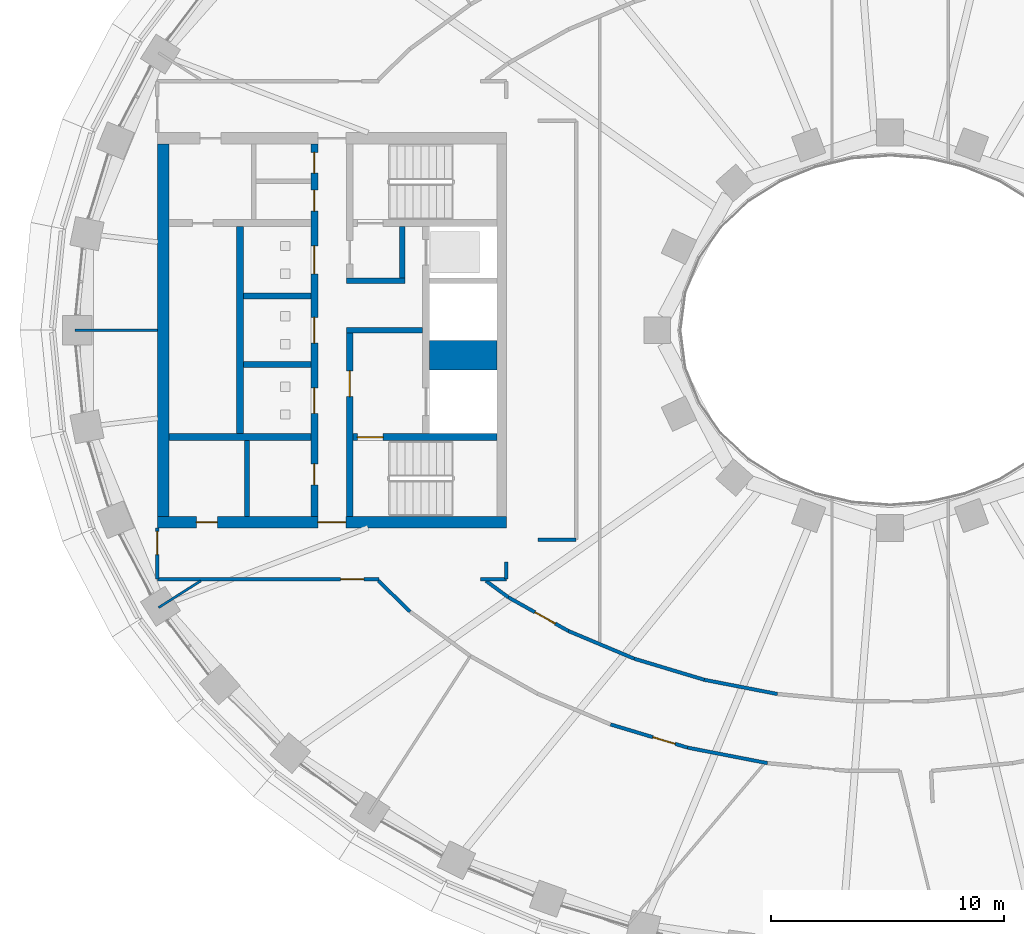
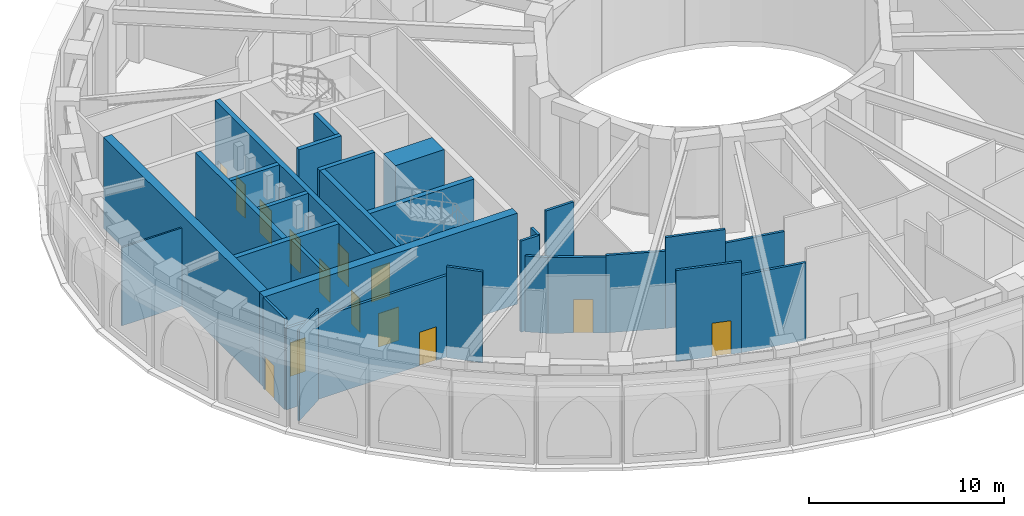
# One storey, part 3 of 23: 29 walls, 14 doors, 14 openings.
"""IFC4 building model written with IfcOpenShell, lengths in metres."""

from ifc_helpers import new_model, si_unit, direction, frame, frame_2d, origin, place, context, subcontext, project, spatial, rectangle, extrude, material, layer, layer_set, type_object, element, fill, save


model = new_model("IFC4")

# Units and contexts
model_context = context("Model", 3, precision=1e-05, world=origin(), true_north=direction((0.0, 1.0)))
body_context = subcontext(model_context, "Body", "Model", "MODEL_VIEW")
ifc_project = project(units=[si_unit("LENGTHUNIT", "METRE"), si_unit("AREAUNIT", "SQUARE_METRE"), si_unit("VOLUMEUNIT", "CUBIC_METRE"), si_unit("PLANEANGLEUNIT", "RADIAN"), si_unit("MASSUNIT", "GRAM", prefix="KILO")], contexts=[model_context])

# Site, building, storey
site_placement = place(None, origin())
site = spatial("IfcSite", under=ifc_project, at=site_placement, CompositionType="ELEMENT")
building_placement = place(site_placement, origin())
building = spatial("IfcBuilding", under=site, at=building_placement, Name="Noorbagh Ring Tower", CompositionType="ELEMENT")
storey_placement = place(building_placement, frame((0.0, 0.0, 140.0)))
storey = spatial("IfcBuildingStorey", under=building, at=storey_placement, Name="L32", CompositionType="ELEMENT", Elevation=140.0)

# Walls
ifc_material_1 = material(Name="Gypsum board on steel studs", Category="steel")
ifc_layer_1 = layer(ifc_material_1, 0.199951171875)
ifc_layer_set_1 = layer_set([ifc_layer_1], Name="Gypsum board on steel studs")
wall_type_1 = type_object("IfcWallType", Name="CORE-PARTITION-200", PredefinedType="PARTITIONING", material=ifc_layer_set_1)
wall_1_placement = place(storey_placement, frame((-27.64990234375, -8.0, 0.0), z_axis=(0.0, 0.0, 1.0), x_axis=(0.0, 1.0, 0.0)))
element("IfcWall", 1, at=wall_1_placement, inside=storey, type_object=wall_type_1, Name="Core partition W", PredefinedType="PARTITIONING", context=body_context, shape_type="SweptSolid", body=[
    extrude(rectangle(XDim=3.25, YDim=0.199951171875, at=frame_2d((1.625, 0.0))), origin(), (0.0, 0.0, 1.0), 5.699951171875),
])
ifc_material_2 = material(Name="Concrete C70/85", Category="concrete")
ifc_layer_2 = layer(ifc_material_2, 1.25)
ifc_layer_set_2 = layer_set([ifc_layer_2], Name="Concrete C70/85")
wall_type_2 = type_object("IfcWallType", Name="CORE-WALL-1250-C70-85-EI120", PredefinedType="SHEAR", material=ifc_layer_set_2)
wall_2_placement = place(storey_placement, frame((-16.89990234375, -1.074951171875, 0.0), z_axis=(0.0, 0.0, 1.0), x_axis=(-1.0, 0.0, 0.0)))
element("IfcWall", 2, at=wall_2_placement, inside=storey, type_object=wall_type_2, Name="Core wall W", PredefinedType="SHEAR", context=body_context, shape_type="SweptSolid", body=[
    extrude(rectangle(XDim=2.900146484375, YDim=1.25, at=frame_2d((1.4501953125, 0.0))), origin(), (0.0, 0.0, 1.0), 5.699951171875),
])
ifc_material_3 = material(Name="Concrete C70/85", Category="concrete")
ifc_layer_3 = layer(ifc_material_3, 0.25)
ifc_layer_set_3 = layer_set([ifc_layer_3], Name="Concrete C70/85")
wall_type_3 = type_object("IfcWallType", Name="CORE-WALL-250-C70-85-EI120", PredefinedType="SHEAR", material=ifc_layer_set_3)
for number, where, z_axis, x_axis, name in (
    (3, (-24.89990234375, -1.47509765625, 0.0), (0.0, 0.0, 1.0), (-1.0, 0.0, 0.0), "Core wall W"),
    (4, (-24.89990234375, 1.47509765625, 0.0), (0.0, 0.0, 1.0), (-1.0, 0.0, 0.0), "Core wall W"),
):
    element("IfcWall", number, at=place(storey_placement, frame(where, z_axis=z_axis, x_axis=x_axis)), inside=storey, type_object=wall_type_3, Name=name, PredefinedType="SHEAR", context=body_context, shape_type="SweptSolid", body=[
        extrude(rectangle(XDim=2.900146484375, YDim=0.25, at=frame_2d((1.4501953125, 0.0))), origin(), (0.0, 0.0, 1.0), 5.699951171875),
    ])
ifc_material_4 = material(Name="Concrete C70/85", Category="concrete")
ifc_layer_4 = layer(ifc_material_4, 0.25)
ifc_layer_set_4 = layer_set([ifc_layer_4], Name="Concrete C70/85")
wall_type_4 = type_object("IfcWallType", Name="CORE-WALL-250-C70-85-EI240", PredefinedType="SHEAR", material=ifc_layer_set_4)
wall_3_placement = place(storey_placement, frame((-20.10009765625, 0.0, 0.0), z_axis=(0.0, 0.0, 1.0), x_axis=(-1.0, 0.0, 0.0)))
element("IfcWall", 5, at=wall_3_placement, inside=storey, type_object=wall_type_4, Name="Core wall W", PredefinedType="SHEAR", context=body_context, shape_type="SweptSolid", body=[
    extrude(rectangle(XDim=3.27978515625, YDim=0.25, at=frame_2d((1.639892578125, 0.0))), origin(), (0.0, 0.0, 1.0), 5.699951171875),
])
wall_4_placement = place(storey_placement, frame((-20.85009765625, 2.125, 0.0), z_axis=(0.0, 0.0, 1.0), x_axis=(-1.0, 0.0, 0.0)))
element("IfcWall", 6, at=wall_4_placement, inside=storey, type_object=wall_type_4, Name="Core wall W", PredefinedType="SHEAR", context=body_context, shape_type="SweptSolid", body=[
    extrude(rectangle(XDim=2.52978515625, YDim=0.25, at=frame_2d((1.264892578125, 0.0))), origin(), (0.0, 0.0, 1.0), 5.699951171875),
])
wall_5_placement = place(storey_placement, frame((-20.97509765625, 2.25, 0.0), z_axis=(0.0, 0.0, 1.0), x_axis=(0.0, 1.0, 0.0)))
element("IfcWall", 7, at=wall_5_placement, inside=storey, type_object=wall_type_4, Name="Core wall W", PredefinedType="SHEAR", context=body_context, shape_type="SweptSolid", body=[
    extrude(rectangle(XDim=2.199951171875, YDim=0.25, at=frame_2d((1.10009765625, 0.0))), origin(), (0.0, 0.0, 1.0), 5.699951171875),
])
ifc_material_5 = material(Name="Concrete C70/85", Category="concrete")
ifc_layer_5 = layer(ifc_material_5, 0.300048828125)
ifc_layer_set_5 = layer_set([ifc_layer_5], Name="Concrete C70/85")
wall_type_5 = type_object("IfcWallType", Name="CORE-WALL-300-C70-85-EI120", PredefinedType="SHEAR", material=ifc_layer_set_5)
wall_6_placement = place(storey_placement, frame((-27.949951171875, -4.449951171875, 0.0), z_axis=(0.0, 0.0, 1.0), x_axis=(0.0, 1.0, 0.0)))
element("IfcWall", 8, at=wall_6_placement, inside=storey, type_object=wall_type_5, Name="Core wall W", PredefinedType="SHEAR", context=body_context, shape_type="SweptSolid", body=[
    extrude(rectangle(XDim=8.89990234375, YDim=0.300048828125, at=frame_2d((4.449951171875, 0.0))), origin(), (0.0, 0.0, 1.0), 5.699951171875),
])

# Wall, openings, doors
wall_7_placement = place(storey_placement, frame((-24.75, -8.0, 0.0), z_axis=(0.0, 0.0, 1.0), x_axis=(0.0, 1.0, 0.0)))
wall_7 = element("IfcWall", 9, at=wall_7_placement, inside=storey, type_object=wall_type_5, Name="Core wall W", PredefinedType="SHEAR", context=body_context, shape_type="SweptSolid", body=[
    extrude(rectangle(XDim=16.0, YDim=0.300048828125, at=frame_2d((8.0, 0.0))), origin(), (0.0, 0.0, 1.0), 5.699951171875),
])
opening_1_placement = place(wall_7_placement, frame((4.425048828125, 0.0, 0.0)))
opening_1 = element("IfcOpeningElement", 10, at=opening_1_placement, cuts=wall_7, Name="Opening L32-CW03", PredefinedType="OPENING", context=body_context, shape_type="SweptSolid", body=[
    extrude(rectangle(XDim=1.10009765625, YDim=2.10009765625, at=frame_2d((0.550048828125, 1.050048828125))), frame((0.0, 0.16015625, 0.0), z_axis=(0.0, -1.0, 0.0), x_axis=(1.0, 0.0, 0.0)), (0.0, 0.0, 1.0), 0.320068359375),
])
opening_2_placement = place(wall_7_placement, frame((7.449951171875, 0.0, 0.0)))
opening_2 = element("IfcOpeningElement", 11, at=opening_2_placement, cuts=wall_7, Name="Opening L32-CW04", PredefinedType="OPENING", context=body_context, shape_type="SweptSolid", body=[
    extrude(rectangle(XDim=1.10009765625, YDim=2.10009765625, at=frame_2d((0.550048828125, 1.050048828125))), frame((0.0, 0.16015625, 0.0), z_axis=(0.0, -1.0, 0.0), x_axis=(1.0, 0.0, 0.0)), (0.0, 0.0, 1.0), 0.320068359375),
])
opening_3_placement = place(wall_7_placement, frame((10.425048828125, 0.0, 0.0)))
opening_3 = element("IfcOpeningElement", 12, at=opening_3_placement, cuts=wall_7, Name="Opening L32-CW05", PredefinedType="OPENING", context=body_context, shape_type="SweptSolid", body=[
    extrude(rectangle(XDim=1.199951171875, YDim=2.10009765625, at=frame_2d((0.60009765625, 1.050048828125))), frame((0.0, 0.16015625, 0.0), z_axis=(0.0, -1.0, 0.0), x_axis=(1.0, 0.0, 0.0)), (0.0, 0.0, 1.0), 0.320068359375),
])
opening_4_placement = place(wall_7_placement, frame((13.125, 0.0, 0.0)))
opening_4 = element("IfcOpeningElement", 13, at=opening_4_placement, cuts=wall_7, Name="Opening L32-CW12", PredefinedType="OPENING", context=body_context, shape_type="SweptSolid", body=[
    extrude(rectangle(XDim=0.89990234375, YDim=2.10009765625, at=frame_2d((0.449951171875, 1.050048828125))), frame((0.0, 0.16015625, 0.0), z_axis=(0.0, -1.0, 0.0), x_axis=(1.0, 0.0, 0.0)), (0.0, 0.0, 1.0), 0.320068359375),
])
opening_5_placement = place(wall_7_placement, frame((14.75, 0.0, 0.0)))
opening_5 = element("IfcOpeningElement", 14, at=opening_5_placement, cuts=wall_7, Name="Opening L32-CW13", PredefinedType="OPENING", context=body_context, shape_type="SweptSolid", body=[
    extrude(rectangle(XDim=0.89990234375, YDim=2.10009765625, at=frame_2d((0.449951171875, 1.050048828125))), frame((0.0, 0.16015625, 0.0), z_axis=(0.0, -1.0, 0.0), x_axis=(1.0, 0.0, 0.0)), (0.0, 0.0, 1.0), 0.320068359375),
])
opening_6_placement = place(wall_7_placement, frame((1.35009765625, 0.0, 0.0)))
opening_6 = element("IfcOpeningElement", 15, at=opening_6_placement, cuts=wall_7, Name="Opening L32-CW15", PredefinedType="OPENING", context=body_context, shape_type="SweptSolid", body=[
    extrude(rectangle(XDim=0.89990234375, YDim=2.10009765625, at=frame_2d((0.449951171875, 1.050048828125))), frame((0.0, 0.16015625, 0.0), z_axis=(0.0, -1.0, 0.0), x_axis=(1.0, 0.0, 0.0)), (0.0, 0.0, 1.0), 0.320068359375),
])
ifc_material_6 = material(Name="Steel door leaf", Category="steel")
door_type_1 = type_object("IfcDoorType", Name="CORE-DOOR-DROOM", OperationType="SINGLE_SWING_LEFT", PredefinedType="DOOR", material=ifc_material_6)
door_1_placement = place(opening_4_placement, origin())
door_1 = element("IfcDoor", 16, at=door_1_placement, inside=storey, type_object=door_type_1, Name="Core room door L32-CW12", OperationType="SINGLE_SWING_LEFT", OverallHeight=2.10009765625, OverallWidth=0.89990234375, PredefinedType="DOOR", context=body_context, shape_type="SweptSolid", body=[
    extrude(rectangle(XDim=0.89990234375, YDim=2.10009765625, at=frame_2d((0.449951171875, 1.050048828125))), frame((0.0, 0.02490234375, 0.0), z_axis=(0.0, -1.0, 0.0), x_axis=(1.0, 0.0, 0.0)), (0.0, 0.0, 1.0), 0.050048828125),
])
fill(opening_4, door_1)
door_2_placement = place(opening_5_placement, origin())
door_2 = element("IfcDoor", 17, at=door_2_placement, inside=storey, type_object=door_type_1, Name="Core room door L32-CW13", OperationType="SINGLE_SWING_RIGHT", OverallHeight=2.10009765625, OverallWidth=0.89990234375, PredefinedType="DOOR", context=body_context, shape_type="SweptSolid", body=[
    extrude(rectangle(XDim=0.89990234375, YDim=2.10009765625, at=frame_2d((0.449951171875, 1.050048828125))), frame((0.0, 0.02490234375, 0.0), z_axis=(0.0, -1.0, 0.0), x_axis=(1.0, 0.0, 0.0)), (0.0, 0.0, 1.0), 0.050048828125),
])
fill(opening_5, door_2)
door_3_placement = place(opening_6_placement, origin())
door_3 = element("IfcDoor", 18, at=door_3_placement, inside=storey, type_object=door_type_1, Name="Core room door L32-CW15", OperationType="SINGLE_SWING_LEFT", OverallHeight=2.10009765625, OverallWidth=0.89990234375, PredefinedType="DOOR", context=body_context, shape_type="SweptSolid", body=[
    extrude(rectangle(XDim=0.89990234375, YDim=2.10009765625, at=frame_2d((0.449951171875, 1.050048828125))), frame((0.0, 0.02490234375, 0.0), z_axis=(0.0, -1.0, 0.0), x_axis=(1.0, 0.0, 0.0)), (0.0, 0.0, 1.0), 0.050048828125),
])
fill(opening_6, door_3)
ifc_material_7 = material(Name="Steel door leaf", Category="steel")
door_type_2 = type_object("IfcDoorType", Name="CORE-DOOR-LD", OperationType="DOUBLE_DOOR_SLIDING", PredefinedType="DOOR", material=ifc_material_7)
door_4_placement = place(opening_1_placement, origin())
door_4 = element("IfcDoor", 19, at=door_4_placement, inside=storey, type_object=door_type_2, Name="Landing door LR1 L32-CW03", OperationType="DOUBLE_DOOR_SLIDING", OverallHeight=2.10009765625, OverallWidth=1.10009765625, PredefinedType="DOOR", context=body_context, shape_type="SweptSolid", body=[
    extrude(rectangle(XDim=1.10009765625, YDim=2.10009765625, at=frame_2d((0.550048828125, 1.050048828125))), frame((0.0, 0.02490234375, 0.0), z_axis=(0.0, -1.0, 0.0), x_axis=(1.0, 0.0, 0.0)), (0.0, 0.0, 1.0), 0.050048828125),
])
fill(opening_1, door_4)
door_5_placement = place(opening_2_placement, origin())
door_5 = element("IfcDoor", 20, at=door_5_placement, inside=storey, type_object=door_type_2, Name="Landing door LR2 L32-CW04", OperationType="DOUBLE_DOOR_SLIDING", OverallHeight=2.10009765625, OverallWidth=1.10009765625, PredefinedType="DOOR", context=body_context, shape_type="SweptSolid", body=[
    extrude(rectangle(XDim=1.10009765625, YDim=2.10009765625, at=frame_2d((0.550048828125, 1.050048828125))), frame((0.0, 0.02490234375, 0.0), z_axis=(0.0, -1.0, 0.0), x_axis=(1.0, 0.0, 0.0)), (0.0, 0.0, 1.0), 0.050048828125),
])
fill(opening_2, door_5)
ifc_material_8 = material(Name="Steel door leaf", Category="steel")
door_type_3 = type_object("IfcDoorType", Name="CORE-DOOR-LDW", OperationType="DOUBLE_DOOR_SLIDING", PredefinedType="DOOR", material=ifc_material_8)
door_6_placement = place(opening_3_placement, origin())
door_6 = element("IfcDoor", 21, at=door_6_placement, inside=storey, type_object=door_type_3, Name="Landing door SV1 L32-CW05", OperationType="DOUBLE_DOOR_SLIDING", OverallHeight=2.10009765625, OverallWidth=1.199951171875, PredefinedType="DOOR", context=body_context, shape_type="SweptSolid", body=[
    extrude(rectangle(XDim=1.199951171875, YDim=2.10009765625, at=frame_2d((0.60009765625, 1.050048828125))), frame((0.0, 0.02490234375, 0.0), z_axis=(0.0, -1.0, 0.0), x_axis=(1.0, 0.0, 0.0)), (0.0, 0.0, 1.0), 0.050048828125),
])
fill(opening_3, door_6)

# Wall
ifc_material_9 = material(Name="Concrete C70/85", Category="concrete")
ifc_layer_6 = layer(ifc_material_9, 0.300048828125)
ifc_layer_set_6 = layer_set([ifc_layer_6], Name="Concrete C70/85")
wall_type_6 = type_object("IfcWallType", Name="CORE-WALL-300-C70-85-EI240", PredefinedType="SHEAR", material=ifc_layer_set_6)
wall_8_placement = place(storey_placement, frame((-24.89990234375, -4.60009765625, 0.0), z_axis=(0.0, 0.0, 1.0), x_axis=(-1.0, 0.0, 0.0)))
element("IfcWall", 22, at=wall_8_placement, inside=storey, type_object=wall_type_6, Name="Core wall W", PredefinedType="SHEAR", context=body_context, shape_type="SweptSolid", body=[
    extrude(rectangle(XDim=6.10009765625, YDim=0.300048828125, at=frame_2d((3.050048828125, 0.0))), origin(), (0.0, 0.0, 1.0), 5.699951171875),
])

# Wall, opening, door
wall_9_placement = place(storey_placement, frame((-23.22998046875, -8.0, 0.0), z_axis=(0.0, 0.0, 1.0), x_axis=(0.0, 1.0, 0.0)))
wall_9 = element("IfcWall", 23, at=wall_9_placement, inside=storey, type_object=wall_type_6, Name="Core wall W", PredefinedType="SHEAR", context=body_context, shape_type="SweptSolid", body=[
    extrude(rectangle(XDim=7.875, YDim=0.300048828125, at=frame_2d((3.9375, 0.0))), origin(), (0.0, 0.0, 1.0), 5.699951171875),
])
opening_7_placement = place(wall_9_placement, frame((5.14990234375, 0.0, 0.0)))
opening_7 = element("IfcOpeningElement", 24, at=opening_7_placement, cuts=wall_9, Name="Opening L32-CW08", PredefinedType="OPENING", context=body_context, shape_type="SweptSolid", body=[
    extrude(rectangle(XDim=1.10009765625, YDim=2.10009765625, at=frame_2d((0.550048828125, 1.050048828125))), frame((0.0, 0.16015625, 0.0), z_axis=(0.0, -1.0, 0.0), x_axis=(1.0, 0.0, 0.0)), (0.0, 0.0, 1.0), 0.320068359375),
])
ifc_material_10 = material(Name="Steel door leaf", Category="steel")
door_type_4 = type_object("IfcDoorType", Name="CORE-DOOR-DFF", OperationType="SINGLE_SWING_LEFT", PredefinedType="DOOR", material=ifc_material_10)
door_7_placement = place(opening_7_placement, origin())
door_7 = element("IfcDoor", 25, at=door_7_placement, inside=storey, type_object=door_type_4, Name="Firefighting lobby door L32-CW08", OperationType="SINGLE_SWING_LEFT", OverallHeight=2.10009765625, OverallWidth=1.10009765625, PredefinedType="DOOR", context=body_context, shape_type="SweptSolid", body=[
    extrude(rectangle(XDim=1.10009765625, YDim=2.10009765625, at=frame_2d((0.550048828125, 1.050048828125))), frame((0.0, 0.02490234375, 0.0), z_axis=(0.0, -1.0, 0.0), x_axis=(1.0, 0.0, 0.0)), (0.0, 0.0, 1.0), 0.050048828125),
])
fill(opening_7, door_7)

wall_10_placement = place(storey_placement, frame((-16.89990234375, -4.60009765625, 0.0), z_axis=(0.0, 0.0, 1.0), x_axis=(-1.0, 0.0, 0.0)))
wall_10 = element("IfcWall", 26, at=wall_10_placement, inside=storey, type_object=wall_type_6, Name="Core wall W", PredefinedType="SHEAR", context=body_context, shape_type="SweptSolid", body=[
    extrude(rectangle(XDim=6.18017578125, YDim=0.300048828125, at=frame_2d((3.090087890625, 0.0))), origin(), (0.0, 0.0, 1.0), 5.699951171875),
])
opening_8_placement = place(wall_10_placement, frame((4.89990234375, 0.0, 0.0)))
opening_8 = element("IfcOpeningElement", 27, at=opening_8_placement, cuts=wall_10, Name="Opening L32-CW07", PredefinedType="OPENING", context=body_context, shape_type="SweptSolid", body=[
    extrude(rectangle(XDim=1.10009765625, YDim=2.10009765625, at=frame_2d((0.550048828125, 1.050048828125))), frame((0.0, 0.16015625, 0.0), z_axis=(0.0, -1.0, 0.0), x_axis=(1.0, 0.0, 0.0)), (0.0, 0.0, 1.0), 0.320068359375),
])
ifc_material_11 = material(Name="Steel door leaf", Category="steel")
door_type_5 = type_object("IfcDoorType", Name="CORE-DOOR-DSTAIR", OperationType="SINGLE_SWING_LEFT", PredefinedType="DOOR", material=ifc_material_11)
door_8_placement = place(opening_8_placement, origin())
door_8 = element("IfcDoor", 28, at=door_8_placement, inside=storey, type_object=door_type_5, Name="Stair door ST2 L32-CW07", OperationType="SINGLE_SWING_LEFT", OverallHeight=2.10009765625, OverallWidth=1.10009765625, PredefinedType="DOOR", context=body_context, shape_type="SweptSolid", body=[
    extrude(rectangle(XDim=1.10009765625, YDim=2.10009765625, at=frame_2d((0.550048828125, 1.050048828125))), frame((0.0, 0.02490234375, 0.0), z_axis=(0.0, -1.0, 0.0), x_axis=(1.0, 0.0, 0.0)), (0.0, 0.0, 1.0), 0.050048828125),
])
fill(opening_8, door_8)

# Wall, openings, doors
ifc_material_12 = material(Name="Concrete C70/85", Category="concrete")
ifc_layer_7 = layer(ifc_material_12, 0.5)
ifc_layer_set_7 = layer_set([ifc_layer_7], Name="Concrete C70/85")
wall_type_7 = type_object("IfcWallType", Name="CORE-WALL-500-C70-85-EI240", PredefinedType="SHEAR", material=ifc_layer_set_7)
wall_11_placement = place(storey_placement, frame((-16.5, -8.25, 0.0), z_axis=(0.0, 0.0, 1.0), x_axis=(-1.0, 0.0, 0.0)))
wall_11 = element("IfcWall", 29, at=wall_11_placement, inside=storey, type_object=wall_type_7, Name="Core wall W", PredefinedType="SHEAR", context=body_context, shape_type="SweptSolid", body=[
    extrude(rectangle(XDim=15.0, YDim=0.5, at=frame_2d((7.5, 0.0))), origin(), (0.0, 0.0, 1.0), 5.699951171875),
])
opening_9_placement = place(wall_11_placement, frame((6.89990234375, 0.0, 0.0)))
opening_9 = element("IfcOpeningElement", 30, at=opening_9_placement, cuts=wall_11, Name="Opening L32-CW11", PredefinedType="OPENING", context=body_context, shape_type="SweptSolid", body=[
    extrude(rectangle(XDim=1.199951171875, YDim=2.10009765625, at=frame_2d((0.60009765625, 1.050048828125))), frame((0.0, 0.260009765625, 0.0), z_axis=(0.0, -1.0, 0.0), x_axis=(1.0, 0.0, 0.0)), (0.0, 0.0, 1.0), 0.52001953125),
])
opening_10_placement = place(wall_11_placement, frame((12.425048828125, 0.0, 0.0)))
opening_10 = element("IfcOpeningElement", 31, at=opening_10_placement, cuts=wall_11, Name="Opening L32-CW16", PredefinedType="OPENING", context=body_context, shape_type="SweptSolid", body=[
    extrude(rectangle(XDim=0.89990234375, YDim=2.10009765625, at=frame_2d((0.449951171875, 1.050048828125))), frame((0.0, 0.260009765625, 0.0), z_axis=(0.0, -1.0, 0.0), x_axis=(1.0, 0.0, 0.0)), (0.0, 0.0, 1.0), 0.52001953125),
])
door_9_placement = place(opening_10_placement, origin())
door_9 = element("IfcDoor", 32, at=door_9_placement, inside=storey, type_object=door_type_1, Name="Core room door L32-CW16", OperationType="SINGLE_SWING_LEFT", OverallHeight=2.10009765625, OverallWidth=0.89990234375, PredefinedType="DOOR", context=body_context, shape_type="SweptSolid", body=[
    extrude(rectangle(XDim=0.89990234375, YDim=2.10009765625, at=frame_2d((0.449951171875, 1.050048828125))), frame((0.0, 0.02490234375, 0.0), z_axis=(0.0, -1.0, 0.0), x_axis=(1.0, 0.0, 0.0)), (0.0, 0.0, 1.0), 0.050048828125),
])
fill(opening_10, door_9)
ifc_material_13 = material(Name="Steel door leaf", Category="steel")
door_type_6 = type_object("IfcDoorType", Name="CORE-DOOR-PORT", OperationType="DOUBLE_DOOR_DOUBLE_SWING", PredefinedType="DOOR", material=ifc_material_13)
door_10_placement = place(opening_9_placement, origin())
door_10 = element("IfcDoor", 33, at=door_10_placement, inside=storey, type_object=door_type_6, Name="Core entrance door L32-CW11", OperationType="DOUBLE_DOOR_DOUBLE_SWING", OverallHeight=2.10009765625, OverallWidth=1.199951171875, PredefinedType="DOOR", context=body_context, shape_type="SweptSolid", body=[
    extrude(rectangle(XDim=1.199951171875, YDim=2.10009765625, at=frame_2d((0.60009765625, 1.050048828125))), frame((0.0, 0.02490234375, 0.0), z_axis=(0.0, -1.0, 0.0), x_axis=(1.0, 0.0, 0.0)), (0.0, 0.0, 1.0), 0.050048828125),
])
fill(opening_9, door_10)

# Wall
wall_12_placement = place(storey_placement, frame((-31.25, -8.0, 0.0), z_axis=(0.0, 0.0, 1.0), x_axis=(0.0, 1.0, 0.0)))
element("IfcWall", 34, at=wall_12_placement, inside=storey, type_object=wall_type_7, Name="Core wall W", PredefinedType="SHEAR", context=body_context, shape_type="SweptSolid", body=[
    extrude(rectangle(XDim=16.0, YDim=0.5, at=frame_2d((8.0, 0.0))), origin(), (0.0, 0.0, 1.0), 5.699951171875),
])

# Wall, opening, door
ifc_material_14 = material(Name="Gypsum board on steel studs", Category="steel")
ifc_layer_8 = layer(ifc_material_14, 0.14990234375)
ifc_layer_set_8 = layer_set([ifc_layer_8], Name="Gypsum board on steel studs")
wall_type_8 = type_object("IfcWallType", Name="CORRIDOR PARTITION 150 EI 30", PredefinedType="PARTITIONING", material=ifc_layer_set_8)
wall_13_placement = place(storey_placement, frame((-31.5, -10.699951171875, 0.0), z_axis=(0.0, 0.0, 1.0), x_axis=(0.0, 1.0, 0.0)))
wall_13 = element("IfcWall", 35, at=wall_13_placement, inside=storey, type_object=wall_type_8, Name="L32/wall/P02", PredefinedType="PARTITIONING", context=body_context, shape_type="SweptSolid", body=[
    extrude(rectangle(XDim=2.199951171875, YDim=0.14990234375, at=frame_2d((1.10009765625, 0.0))), origin(), (0.0, 0.0, 1.0), 5.699951171875),
])
opening_11_placement = place(wall_13_placement, frame((1.050048828125, 0.0, 0.0)))
opening_11 = element("IfcOpeningElement", 36, at=opening_11_placement, cuts=wall_13, Name="Opening D1", PredefinedType="OPENING", context=body_context, shape_type="SweptSolid", body=[
    extrude(rectangle(XDim=1.0, YDim=2.10009765625, at=frame_2d((0.5, 1.050048828125))), frame((0.0, 0.0849609375, 0.0), z_axis=(0.0, -1.0, 0.0), x_axis=(1.0, 0.0, 0.0)), (0.0, 0.0, 1.0), 0.169921875),
])
ifc_material_15 = material(Name="Timber, painted", Category="wood")
door_type_7 = type_object("IfcDoorType", Name="DOOR 1000 X 2100 FD30", OperationType="SINGLE_SWING_LEFT", PredefinedType="DOOR", material=ifc_material_15)
door_11_placement = place(opening_11_placement, origin())
door_11 = element("IfcDoor", 37, at=door_11_placement, inside=storey, type_object=door_type_7, Name="L32-D06", OperationType="SINGLE_SWING_LEFT", OverallHeight=2.10009765625, OverallWidth=1.0, PredefinedType="DOOR", context=body_context, shape_type="SweptSolid", body=[
    extrude(rectangle(XDim=1.0, YDim=2.10009765625, at=frame_2d((0.5, 1.050048828125))), frame((0.0, 0.02490234375, 0.0), z_axis=(0.0, -1.0, 0.0), x_axis=(1.0, 0.0, 0.0)), (0.0, 0.0, 1.0), 0.050048828125),
])
fill(opening_11, door_11)

wall_14_placement = place(storey_placement, frame((-31.5, -10.699951171875, 0.0), z_axis=(0.0, 0.0, 1.0), x_axis=(1.0, 0.0, 0.0)))
wall_14 = element("IfcWall", 38, at=wall_14_placement, inside=storey, type_object=wall_type_8, Name="L32/wall/P03", PredefinedType="PARTITIONING", context=body_context, shape_type="SweptSolid", body=[
    extrude(rectangle(XDim=9.534912109375, YDim=0.14990234375, at=frame_2d((4.767578125, 0.0))), origin(), (0.0, 0.0, 1.0), 5.10009765625),
])
opening_12_placement = place(wall_14_placement, frame((7.87890625, 0.0, 0.0)))
opening_12 = element("IfcOpeningElement", 39, at=opening_12_placement, cuts=wall_14, Name="Opening D1", PredefinedType="OPENING", context=body_context, shape_type="SweptSolid", body=[
    extrude(rectangle(XDim=1.0, YDim=2.10009765625, at=frame_2d((0.5, 1.050048828125))), frame((0.0, 0.0849609375, 0.0), z_axis=(0.0, -1.0, 0.0), x_axis=(1.0, 0.0, 0.0)), (0.0, 0.0, 1.0), 0.169921875),
])
door_12_placement = place(opening_12_placement, origin())
door_12 = element("IfcDoor", 40, at=door_12_placement, inside=storey, type_object=door_type_7, Name="L32-D08", OperationType="SINGLE_SWING_RIGHT", OverallHeight=2.10009765625, OverallWidth=1.0, PredefinedType="DOOR", context=body_context, shape_type="SweptSolid", body=[
    extrude(rectangle(XDim=1.0, YDim=2.10009765625, at=frame_2d((0.5, 1.050048828125))), frame((0.0, 0.02490234375, 0.0), z_axis=(0.0, -1.0, 0.0), x_axis=(1.0, 0.0, 0.0)), (0.0, 0.0, 1.0), 0.050048828125),
])
fill(opening_12, door_12)

# Walls
wall_15_placement = place(storey_placement, frame((-21.99609375, -10.77490234375, 0.0), z_axis=(0.0, 0.0, 1.0), x_axis=(0.716982447073, -0.697091221139, 0.0)))
element("IfcWall", 41, at=wall_15_placement, inside=storey, type_object=wall_type_8, Name="L32/wall/P10", PredefinedType="PARTITIONING", context=body_context, shape_type="SweptSolid", body=[
    extrude(rectangle(XDim=1.90234375, YDim=0.14990234375, at=frame_2d((0.951171875, 0.0))), origin(), (0.0, 0.0, 1.0), 5.699951171875),
])
wall_16_placement = place(storey_placement, frame((-17.60107421875, -10.699951171875, 0.0), z_axis=(0.0, 0.0, 1.0), x_axis=(1.0, 0.0, 0.0)))
element("IfcWall", 42, at=wall_16_placement, inside=storey, type_object=wall_type_8, Name="L32/wall/P16", PredefinedType="PARTITIONING", context=body_context, shape_type="SweptSolid", body=[
    extrude(rectangle(XDim=1.10107421875, YDim=0.14990234375, at=frame_2d((0.550537109375, 0.0))), origin(), (0.0, 0.0, 1.0), 5.699951171875),
])
wall_17_placement = place(storey_placement, frame((-17.373046875, -10.77490234375, 0.0), z_axis=(0.0, 0.0, 1.0), x_axis=(0.80517934727, -0.593031380899, 0.0)))
element("IfcWall", 43, at=wall_17_placement, inside=storey, type_object=wall_type_8, Name="L32/wall/P17", PredefinedType="PARTITIONING", context=body_context, shape_type="SweptSolid", body=[
    extrude(rectangle(XDim=1.192138671875, YDim=0.14990234375, at=frame_2d((0.59619140625, 0.0))), origin(), (0.0, 0.0, 1.0), 4.75),
])
wall_18_placement = place(storey_placement, frame((-16.5, -10.699951171875, 0.0), z_axis=(0.0, 0.0, 1.0), x_axis=(0.0, 1.0, 0.0)))
element("IfcWall", 44, at=wall_18_placement, inside=storey, type_object=wall_type_8, Name="L32/wall/P20", PredefinedType="PARTITIONING", context=body_context, shape_type="SweptSolid", body=[
    extrude(rectangle(XDim=0.73583984375, YDim=0.14990234375, at=frame_2d((0.367919921875, 0.0))), origin(), (0.0, 0.0, 1.0), 5.699951171875),
])

# Wall, opening, door
wall_19_placement = place(storey_placement, frame((-16.4130859375, -11.48193359375, 0.0), z_axis=(0.0, 0.0, 1.0), x_axis=(0.872085581183, -0.489353388761, 0.0)))
wall_19 = element("IfcWall", 45, at=wall_19_placement, inside=storey, type_object=wall_type_8, Name="L32/wall/P22", PredefinedType="PARTITIONING", context=body_context, shape_type="SweptSolid", body=[
    extrude(rectangle(XDim=2.962890625, YDim=0.14990234375, at=frame_2d((1.4814453125, 0.0))), origin(), (0.0, 0.0, 1.0), 4.75),
])
opening_13_placement = place(wall_19_placement, frame((1.31298828125, 0.0, 0.0)))
opening_13 = element("IfcOpeningElement", 46, at=opening_13_placement, cuts=wall_19, Name="Opening D1", PredefinedType="OPENING", context=body_context, shape_type="SweptSolid", body=[
    extrude(rectangle(XDim=1.0, YDim=2.10009765625, at=frame_2d((0.5, 1.050048828125))), frame((0.0, 0.0849609375, 0.0), z_axis=(0.0, -1.0, 0.0), x_axis=(1.0, 0.0, 0.0)), (0.0, 0.0, 1.0), 0.169921875),
])
door_13_placement = place(opening_13_placement, origin())
door_13 = element("IfcDoor", 47, at=door_13_placement, inside=storey, type_object=door_type_7, Name="L32-D19", OperationType="SINGLE_SWING_LEFT", OverallHeight=2.10009765625, OverallWidth=1.0, PredefinedType="DOOR", context=body_context, shape_type="SweptSolid", body=[
    extrude(rectangle(XDim=1.0, YDim=2.10009765625, at=frame_2d((0.5, 1.050048828125))), frame((0.0, 0.02490234375, 0.0), z_axis=(0.0, -1.0, 0.0), x_axis=(1.0, 0.0, 0.0)), (0.0, 0.0, 1.0), 0.050048828125),
])
fill(opening_13, door_13)

# Walls
wall_20_placement = place(storey_placement, frame((-15.134033203125, -9.0, 0.0), z_axis=(0.0, 0.0, 1.0), x_axis=(1.0, 0.0, 0.0)))
element("IfcWall", 48, at=wall_20_placement, inside=storey, type_object=wall_type_8, Name="L32/wall/P26", PredefinedType="PARTITIONING", context=body_context, shape_type="SweptSolid", body=[
    extrude(rectangle(XDim=1.634033203125, YDim=0.14990234375, at=frame_2d((0.81689453125, 0.0))), origin(), (0.0, 0.0, 1.0), 5.699951171875),
])
wall_21_placement = place(storey_placement, frame((-13.8291015625, -12.931884765625, 0.0), z_axis=(0.0, 0.0, 1.0), x_axis=(0.921801441693, -0.387662355785, 0.0)))
element("IfcWall", 49, at=wall_21_placement, inside=storey, type_object=wall_type_8, Name="L32/wall/P28", PredefinedType="PARTITIONING", context=body_context, shape_type="SweptSolid", body=[
    extrude(rectangle(XDim=3.070068359375, YDim=0.14990234375, at=frame_2d((1.53515625, 0.0))), origin(), (0.0, 0.0, 1.0), 4.85009765625),
])

# Wall, opening, door
wall_22_placement = place(storey_placement, frame((-12.01611328125, -16.948974609375, 0.0), z_axis=(0.0, 0.0, 1.0), x_axis=(0.957549981281, -0.288267294969, 0.0)))
wall_22 = element("IfcWall", 50, at=wall_22_placement, inside=storey, type_object=wall_type_8, Name="L32/wall/P32", PredefinedType="PARTITIONING", context=body_context, shape_type="SweptSolid", body=[
    extrude(rectangle(XDim=3.458740234375, YDim=0.14990234375, at=frame_2d((1.7294921875, 0.0))), origin(), (0.0, 0.0, 1.0), 5.699951171875),
])
opening_14_placement = place(wall_22_placement, frame((1.89990234375, 0.0, 0.0)))
opening_14 = element("IfcOpeningElement", 51, at=opening_14_placement, cuts=wall_22, Name="Opening D1", PredefinedType="OPENING", context=body_context, shape_type="SweptSolid", body=[
    extrude(rectangle(XDim=1.0, YDim=2.10009765625, at=frame_2d((0.5, 1.050048828125))), frame((0.0, 0.0849609375, 0.0), z_axis=(0.0, -1.0, 0.0), x_axis=(1.0, 0.0, 0.0)), (0.0, 0.0, 1.0), 0.169921875),
])
door_14_placement = place(opening_14_placement, origin())
door_14 = element("IfcDoor", 52, at=door_14_placement, inside=storey, type_object=door_type_7, Name="L32-D10", OperationType="SINGLE_SWING_RIGHT", OverallHeight=2.10009765625, OverallWidth=1.0, PredefinedType="DOOR", context=body_context, shape_type="SweptSolid", body=[
    extrude(rectangle(XDim=1.0, YDim=2.10009765625, at=frame_2d((0.5, 1.050048828125))), frame((0.0, 0.02490234375, 0.0), z_axis=(0.0, -1.0, 0.0), x_axis=(1.0, 0.0, 0.0)), (0.0, 0.0, 1.0), 0.050048828125),
])
fill(opening_14, door_14)

# Walls
wall_23_placement = place(storey_placement, frame((-10.9990234375, -14.1220703125, 0.0), z_axis=(0.0, 0.0, 1.0), x_axis=(0.957527018266, -0.288343561209, 0.0)))
element("IfcWall", 53, at=wall_23_placement, inside=storey, type_object=wall_type_8, Name="L32/wall/P36", PredefinedType="PARTITIONING", context=body_context, shape_type="SweptSolid", body=[
    extrude(rectangle(XDim=3.14892578125, YDim=0.14990234375, at=frame_2d((1.574462890625, 0.0))), origin(), (0.0, 0.0, 1.0), 5.699951171875),
])
wall_24_placement = place(storey_placement, frame((-8.7041015625, -17.946044921875, 0.0), z_axis=(0.0, 0.0, 1.0), x_axis=(0.981655321849, -0.190664178821, 0.0)))
element("IfcWall", 54, at=wall_24_placement, inside=storey, type_object=wall_type_8, Name="L32/wall/P38", PredefinedType="PARTITIONING", context=body_context, shape_type="SweptSolid", body=[
    extrude(rectangle(XDim=3.498291015625, YDim=0.14990234375, at=frame_2d((1.7490234375, 0.0))), origin(), (0.0, 0.0, 1.0), 4.85009765625),
])
wall_25_placement = place(storey_placement, frame((-7.98388671875, -15.030029296875, 0.0), z_axis=(0.0, 0.0, 1.0), x_axis=(0.981616580231, -0.190863536108, 0.0)))
element("IfcWall", 55, at=wall_25_placement, inside=storey, type_object=wall_type_8, Name="L32/wall/P40", PredefinedType="PARTITIONING", context=body_context, shape_type="SweptSolid", body=[
    extrude(rectangle(XDim=3.20166015625, YDim=0.14990234375, at=frame_2d((1.600830078125, 0.0))), origin(), (0.0, 0.0, 1.0), 4.85009765625),
])
ifc_material_16 = material(Name="Gypsum board on steel studs", Category="steel")
ifc_layer_9 = layer(ifc_material_16, 0.10009765625)
ifc_layer_set_9 = layer_set([ifc_layer_9], Name="Gypsum board on steel studs")
wall_type_9 = type_object("IfcWallType", Name="PARTITION 100 GYPSUM", PredefinedType="PARTITIONING", material=ifc_layer_set_9)
wall_26_placement = place(storey_placement, frame((-35.044921875, 0.0, 0.0), z_axis=(0.0, 0.0, 1.0), x_axis=(1.0, 0.0, 0.0)))
element("IfcWall", 56, at=wall_26_placement, inside=storey, type_object=wall_type_9, Name="L32/wall/P01", PredefinedType="PARTITIONING", context=body_context, shape_type="SweptSolid", body=[
    extrude(rectangle(XDim=3.544921875, YDim=0.10009765625, at=frame_2d((1.7724609375, 0.0))), origin(), (0.0, 0.0, 1.0), 4.89990234375),
])
wall_27_placement = place(storey_placement, frame((-31.448974609375, -11.925048828125, 0.0), z_axis=(0.0, 0.0, 1.0), x_axis=(0.844747041197, 0.535165802709, 0.0)))
element("IfcWall", 57, at=wall_27_placement, inside=storey, type_object=wall_type_9, Name="L32/wall/P06", PredefinedType="PARTITIONING", context=body_context, shape_type="SweptSolid", body=[
    extrude(rectangle(XDim=2.14501953125, YDim=0.10009765625, at=frame_2d((1.072509765625, 0.0))), origin(), (0.0, 0.0, 1.0), 5.699951171875),
])

save(model, "model.ifc")
